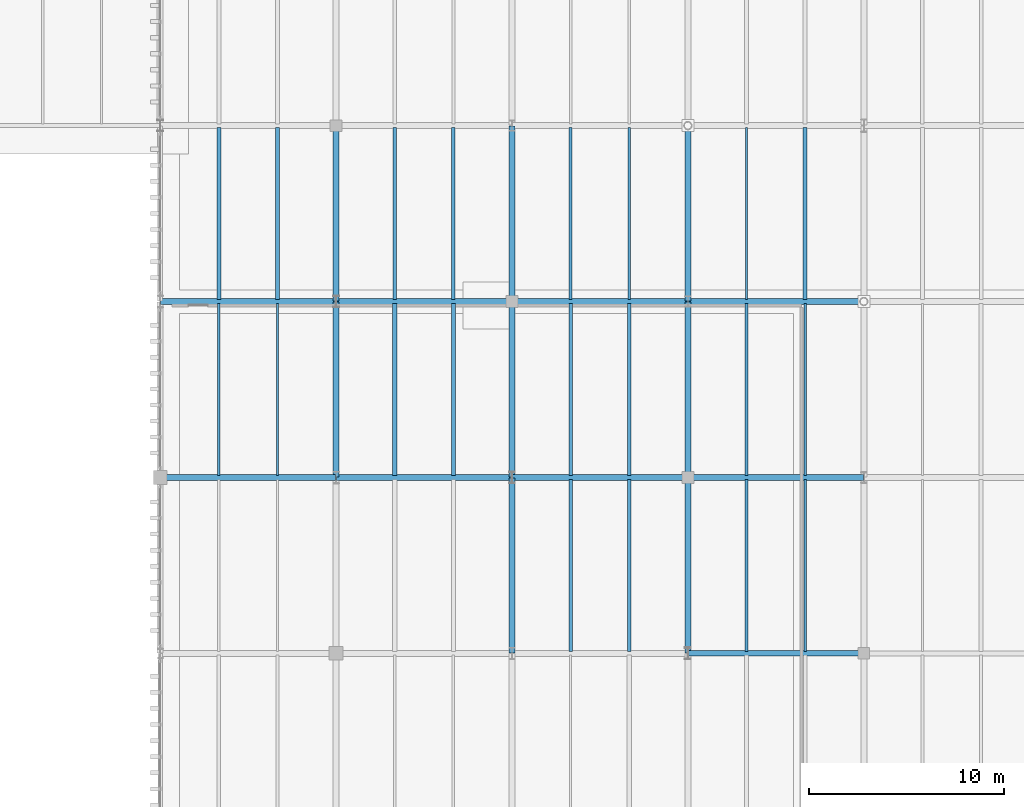
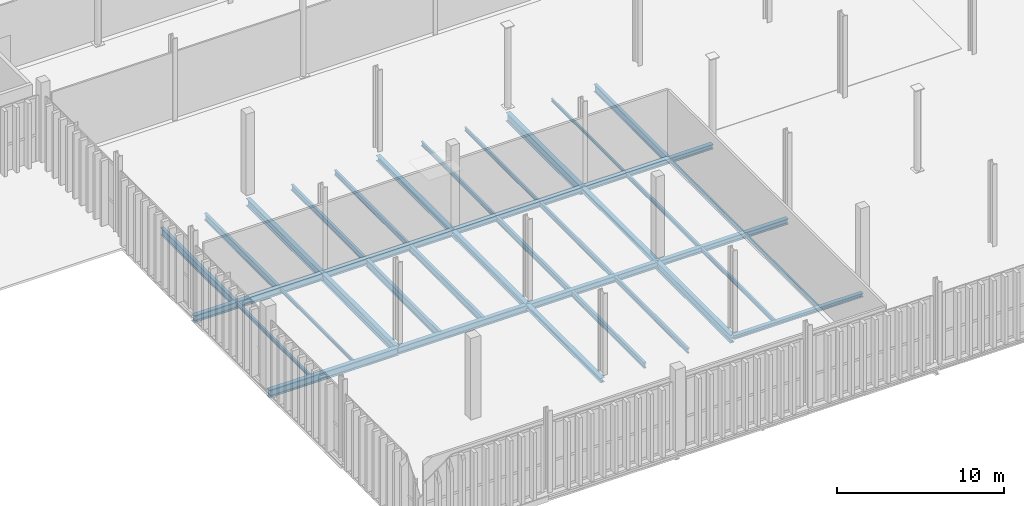
# One storey, part 88 of 211: 37 beams.
"""IFC4 building model written with IfcOpenShell, lengths in metres."""

from ifc_helpers import new_model, si_unit, direction, frame, origin, origin_2d, place, context, subcontext, project, spatial, i_section, extrude, material, material_profile, profile_set, type_object, element, save


model = new_model("IFC4")

# Units and contexts
model_context = context("Model", 3, precision=1e-05, world=origin(), true_north=direction((0.0, 1.0)))
body_context = subcontext(model_context, "Body", "Model", "MODEL_VIEW")
ifc_project = project(units=[si_unit("LENGTHUNIT", "METRE"), si_unit("AREAUNIT", "SQUARE_METRE"), si_unit("VOLUMEUNIT", "CUBIC_METRE"), si_unit("PLANEANGLEUNIT", "RADIAN"), si_unit("MASSUNIT", "GRAM", prefix="KILO")], contexts=[model_context])

# Site, building, storey
site_placement = place(None, origin())
site = spatial("IfcSite", under=ifc_project, at=site_placement, CompositionType="ELEMENT")
building_placement = place(site_placement, origin())
building = spatial("IfcBuilding", under=site, at=building_placement, Name="Barlavento Convention Centre", CompositionType="ELEMENT")
storey_placement = place(building_placement, frame((0.0, 0.0, 6.0)))
storey = spatial("IfcBuildingStorey", under=building, at=storey_placement, Name="L01", CompositionType="ELEMENT", Elevation=6.0)

# Beams
ifc_material = material(Name="Steel S355", Category="steel")
ifc_material_profile_1 = material_profile(ifc_material, i_section(OverallWidth=0.110107421875, OverallDepth=0.219970703125, WebThickness=0.005859375, FlangeThickness=0.00927734375, FilletRadius=0.011962890625, at=origin_2d()), Name="IPE 220")
ifc_profile_set_1 = profile_set([ifc_material_profile_1], Name="Steel S355")
beam_type_1 = type_object("IfcBeamType", Name="STR-BM-JST-IPE220", PredefinedType="JOIST", material=ifc_profile_set_1)
beam_1_placement = place(storey_placement, frame((156.0, 27.094970703125, -0.469970703125), z_axis=(0.0, 1.0, 0.0), x_axis=(-1.0, 0.0, 0.0)))
element("IfcBeam", 1, at=beam_1_placement, inside=storey, type_object=beam_type_1, Name="L01 composite floor joist SJ10", PredefinedType="JOIST", context=body_context, shape_type="SweptSolid", body=[
    extrude(i_section(OverallWidth=0.110107421875, OverallDepth=0.219970703125, WebThickness=0.005859375, FlangeThickness=0.00927734375, FilletRadius=0.011962890625, at=origin_2d()), origin(), (0.0, 0.0, 1.0), 8.81005859375),
])
ifc_material_profile_2 = material_profile(ifc_material, i_section(OverallWidth=0.1201171875, OverallDepth=0.239990234375, WebThickness=0.006103515625, FlangeThickness=0.009765625, FilletRadius=0.014892578125, at=origin_2d()), Name="IPE 240")
ifc_profile_set_2 = profile_set([ifc_material_profile_2], Name="Steel S355")
beam_type_2 = type_object("IfcBeamType", Name="STR-BM-JST-IPE240", PredefinedType="JOIST", material=ifc_profile_set_2)
beam_2_placement = place(storey_placement, frame((132.0, 18.094970703125, -0.47998046875), z_axis=(0.0, 1.0, 0.0), x_axis=(-1.0, 0.0, 0.0)))
element("IfcBeam", 2, at=beam_2_placement, inside=storey, type_object=beam_type_2, Name="L01 composite floor joist SJ09", PredefinedType="JOIST", context=body_context, shape_type="SweptSolid", body=[
    extrude(i_section(OverallWidth=0.1201171875, OverallDepth=0.239990234375, WebThickness=0.006103515625, FlangeThickness=0.009765625, FilletRadius=0.014892578125, at=origin_2d()), origin(), (0.0, 0.0, 1.0), 8.81005859375),
])
ifc_material_profile_3 = material_profile(ifc_material, i_section(OverallWidth=0.135009765625, OverallDepth=0.27001953125, WebThickness=0.006591796875, FlangeThickness=0.01025390625, FilletRadius=0.014892578125, at=origin_2d()), Name="IPE 270")
ifc_profile_set_3 = profile_set([ifc_material_profile_3], Name="Steel S355")
beam_type_3 = type_object("IfcBeamType", Name="STR-BM-JST-IPE270", PredefinedType="JOIST", material=ifc_profile_set_3)
for number, where, z_axis, x_axis, name in (
    (3, (159.0, 9.094970703125, -0.4951171875), (0.0, 1.0, 0.0), (-1.0, 0.0, 0.0), "L01 composite floor joist SJ08"),
    (4, (129.0, 18.094970703125, -0.4951171875), (0.0, 1.0, 0.0), (-1.0, 0.0, 0.0), "L01 composite floor joist SJ08"),
    (5, (159.0, 18.094970703125, -0.4951171875), (0.0, 1.0, 0.0), (-1.0, 0.0, 0.0), "L01 composite floor joist SJ08"),
    (6, (150.0, 27.094970703125, -0.4951171875), (0.0, 1.0, 0.0), (-1.0, 0.0, 0.0), "L01 composite floor joist SJ08"),
):
    element("IfcBeam", number, at=place(storey_placement, frame(where, z_axis=z_axis, x_axis=x_axis)), inside=storey, type_object=beam_type_3, Name=name, PredefinedType="JOIST", context=body_context, shape_type="SweptSolid", body=[
        extrude(i_section(OverallWidth=0.135009765625, OverallDepth=0.27001953125, WebThickness=0.006591796875, FlangeThickness=0.01025390625, FilletRadius=0.014892578125, at=origin_2d()), origin(), (0.0, 0.0, 1.0), 8.81005859375),
    ])
ifc_material_profile_4 = material_profile(ifc_material, i_section(OverallWidth=0.14990234375, OverallDepth=0.300048828125, WebThickness=0.007080078125, FlangeThickness=0.0107421875, FilletRadius=0.014892578125, at=origin_2d()), Name="IPE 300")
ifc_profile_set_4 = profile_set([ifc_material_profile_4], Name="Steel S355")
beam_type_4 = type_object("IfcBeamType", Name="STR-BM-JST-IPE300", PredefinedType="JOIST", material=ifc_profile_set_4)
for number, where, z_axis, x_axis, name in (
    (7, (156.0, 9.094970703125, -0.510009765625), (0.0, 1.0, 0.0), (-1.0, 0.0, 0.0), "L01 composite floor joist SJ07"),
    (8, (156.0, 18.094970703125, -0.510009765625), (0.0, 1.0, 0.0), (-1.0, 0.0, 0.0), "L01 composite floor joist SJ07"),
    (9, (147.0, 27.094970703125, -0.510009765625), (0.0, 1.0, 0.0), (-1.0, 0.0, 0.0), "L01 composite floor joist SJ07"),
):
    element("IfcBeam", number, at=place(storey_placement, frame(where, z_axis=z_axis, x_axis=x_axis)), inside=storey, type_object=beam_type_4, Name=name, PredefinedType="JOIST", context=body_context, shape_type="SweptSolid", body=[
        extrude(i_section(OverallWidth=0.14990234375, OverallDepth=0.300048828125, WebThickness=0.007080078125, FlangeThickness=0.0107421875, FilletRadius=0.014892578125, at=origin_2d()), origin(), (0.0, 0.0, 1.0), 8.81005859375),
    ])
ifc_material_profile_5 = material_profile(ifc_material, i_section(OverallWidth=0.169921875, OverallDepth=0.360107421875, WebThickness=0.008056640625, FlangeThickness=0.0126953125, FilletRadius=0.01806640625, at=origin_2d()), Name="IPE 360")
ifc_profile_set_5 = profile_set([ifc_material_profile_5], Name="Steel S355")
beam_type_5 = type_object("IfcBeamType", Name="STR-BM-JST-IPE360", PredefinedType="JOIST", material=ifc_profile_set_5)
for number, where, z_axis, x_axis, name in (
    (10, (150.0, 9.094970703125, -0.5400390625), (0.0, 1.0, 0.0), (-1.0, 0.0, 0.0), "L01 composite floor joist SJ05"),
    (11, (150.0, 18.094970703125, -0.5400390625), (0.0, 1.0, 0.0), (-1.0, 0.0, 0.0), "L01 composite floor joist SJ05"),
    (12, (141.0, 27.094970703125, -0.5400390625), (0.0, 1.0, 0.0), (-1.0, 0.0, 0.0), "L01 composite floor joist SJ05"),
):
    element("IfcBeam", number, at=place(storey_placement, frame(where, z_axis=z_axis, x_axis=x_axis)), inside=storey, type_object=beam_type_5, Name=name, PredefinedType="JOIST", context=body_context, shape_type="SweptSolid", body=[
        extrude(i_section(OverallWidth=0.169921875, OverallDepth=0.360107421875, WebThickness=0.008056640625, FlangeThickness=0.0126953125, FilletRadius=0.01806640625, at=origin_2d()), origin(), (0.0, 0.0, 1.0), 8.81005859375),
    ])
ifc_material_profile_6 = material_profile(ifc_material, i_section(OverallWidth=0.179931640625, OverallDepth=0.39990234375, WebThickness=0.008544921875, FlangeThickness=0.013427734375, FilletRadius=0.02099609375, at=origin_2d()), Name="IPE 400")
ifc_profile_set_6 = profile_set([ifc_material_profile_6], Name="Steel S355")
beam_type_6 = type_object("IfcBeamType", Name="STR-BM-JST-IPE400", PredefinedType="JOIST", material=ifc_profile_set_6)
for number, where, z_axis, x_axis, name in (
    (13, (147.0, 9.094970703125, -0.56005859375), (0.0, 1.0, 0.0), (-1.0, 0.0, 0.0), "L01 composite floor joist SJ04"),
    (14, (147.0, 18.094970703125, -0.56005859375), (0.0, 1.0, 0.0), (-1.0, 0.0, 0.0), "L01 composite floor joist SJ04"),
    (15, (138.0, 27.094970703125, -0.56005859375), (0.0, 1.0, 0.0), (-1.0, 0.0, 0.0), "L01 composite floor joist SJ04"),
):
    element("IfcBeam", number, at=place(storey_placement, frame(where, z_axis=z_axis, x_axis=x_axis)), inside=storey, type_object=beam_type_6, Name=name, PredefinedType="JOIST", context=body_context, shape_type="SweptSolid", body=[
        extrude(i_section(OverallWidth=0.179931640625, OverallDepth=0.39990234375, WebThickness=0.008544921875, FlangeThickness=0.013427734375, FilletRadius=0.02099609375, at=origin_2d()), origin(), (0.0, 0.0, 1.0), 8.81005859375),
    ])
ifc_material_profile_7 = material_profile(ifc_material, i_section(OverallWidth=0.199951171875, OverallDepth=0.5, WebThickness=0.01025390625, FlangeThickness=0.01611328125, FilletRadius=0.02099609375, at=origin_2d()), Name="IPE 500")
ifc_profile_set_7 = profile_set([ifc_material_profile_7], Name="Steel S355")
beam_type_7 = type_object("IfcBeamType", Name="STR-BM-JST-IPE500", PredefinedType="JOIST", material=ifc_profile_set_7)
for number, where, z_axis, x_axis, name in (
    (16, (141.0, 18.094970703125, -0.610107421875), (0.0, 1.0, 0.0), (-1.0, 0.0, 0.0), "L01 composite floor joist SJ02"),
    (17, (132.0, 27.094970703125, -0.610107421875), (0.0, 1.0, 0.0), (-1.0, 0.0, 0.0), "L01 composite floor joist SJ02"),
):
    element("IfcBeam", number, at=place(storey_placement, frame(where, z_axis=z_axis, x_axis=x_axis)), inside=storey, type_object=beam_type_7, Name=name, PredefinedType="JOIST", context=body_context, shape_type="SweptSolid", body=[
        extrude(i_section(OverallWidth=0.199951171875, OverallDepth=0.5, WebThickness=0.01025390625, FlangeThickness=0.01611328125, FilletRadius=0.02099609375, at=origin_2d()), origin(), (0.0, 0.0, 1.0), 8.81005859375),
    ])
ifc_material_profile_8 = material_profile(ifc_material, i_section(OverallWidth=0.2099609375, OverallDepth=0.550048828125, WebThickness=0.010986328125, FlangeThickness=0.01708984375, FilletRadius=0.02392578125, at=origin_2d()), Name="IPE 550")
ifc_profile_set_8 = profile_set([ifc_material_profile_8], Name="Steel S355")
beam_type_8 = type_object("IfcBeamType", Name="STR-BM-JST-IPE550", PredefinedType="JOIST", material=ifc_profile_set_8)
for number, where, z_axis, x_axis, name in (
    (18, (138.0, 18.094970703125, -0.635009765625), (0.0, 1.0, 0.0), (-1.0, 0.0, 0.0), "L01 composite floor joist SJ01"),
    (19, (129.0, 27.094970703125, -0.635009765625), (0.0, 1.0, 0.0), (-1.0, 0.0, 0.0), "L01 composite floor joist SJ01"),
    (20, (159.0, 27.094970703125, -0.635009765625), (0.0, 1.0, 0.0), (-1.0, 0.0, 0.0), "L01 composite floor joist SJ01"),
):
    element("IfcBeam", number, at=place(storey_placement, frame(where, z_axis=z_axis, x_axis=x_axis)), inside=storey, type_object=beam_type_8, Name=name, PredefinedType="JOIST", context=body_context, shape_type="SweptSolid", body=[
        extrude(i_section(OverallWidth=0.2099609375, OverallDepth=0.550048828125, WebThickness=0.010986328125, FlangeThickness=0.01708984375, FilletRadius=0.02392578125, at=origin_2d()), origin(), (0.0, 0.0, 1.0), 8.81005859375),
    ])
ifc_material_profile_9 = material_profile(ifc_material, i_section(OverallWidth=0.300048828125, OverallDepth=0.330078125, WebThickness=0.009521484375, FlangeThickness=0.0166015625, FilletRadius=0.027099609375, at=origin_2d()), Name="HEA 340")
ifc_profile_set_9 = profile_set([ifc_material_profile_9], Name="Steel S355")
beam_type_9 = type_object("IfcBeamType", Name="STR-BM-PRI-HEA340", PredefinedType="BEAM", material=ifc_profile_set_9)
beam_3_placement = place(storey_placement, frame((153.0, 18.02001953125, -0.52490234375), z_axis=(0.0, 1.0, 0.0), x_axis=(-1.0, 0.0, 0.0)))
element("IfcBeam", 21, at=beam_3_placement, inside=storey, type_object=beam_type_9, Name="L01 grid girder BG24", PredefinedType="BEAM", context=body_context, shape_type="SweptSolid", body=[
    extrude(i_section(OverallWidth=0.300048828125, OverallDepth=0.330078125, WebThickness=0.009521484375, FlangeThickness=0.0166015625, FilletRadius=0.027099609375, at=origin_2d()), origin(), (0.0, 0.0, 1.0), 8.9599609375),
])
ifc_material_profile_10 = material_profile(ifc_material, i_section(OverallWidth=0.300048828125, OverallDepth=0.35009765625, WebThickness=0.010009765625, FlangeThickness=0.017578125, FilletRadius=0.027099609375, at=origin_2d()), Name="HEA 360")
ifc_profile_set_10 = profile_set([ifc_material_profile_10], Name="Steel S355")
beam_type_10 = type_object("IfcBeamType", Name="STR-BM-PRI-HEA360", PredefinedType="BEAM", material=ifc_profile_set_10)
beam_4_placement = place(storey_placement, frame((144.0, 9.02001953125, -0.534912109375), z_axis=(0.0, 1.0, 0.0), x_axis=(-1.0, 0.0, 0.0)))
element("IfcBeam", 22, at=beam_4_placement, inside=storey, type_object=beam_type_10, Name="L01 grid girder BG23", PredefinedType="BEAM", context=body_context, shape_type="SweptSolid", body=[
    extrude(i_section(OverallWidth=0.300048828125, OverallDepth=0.35009765625, WebThickness=0.010009765625, FlangeThickness=0.017578125, FilletRadius=0.027099609375, at=origin_2d()), origin(), (0.0, 0.0, 1.0), 8.9599609375),
])
ifc_material_profile_11 = material_profile(ifc_material, i_section(OverallWidth=0.300048828125, OverallDepth=0.389892578125, WebThickness=0.010986328125, FlangeThickness=0.01904296875, FilletRadius=0.027099609375, at=origin_2d()), Name="HEA 400")
ifc_profile_set_11 = profile_set([ifc_material_profile_11], Name="Steel S355")
beam_type_11 = type_object("IfcBeamType", Name="STR-BM-PRI-HEA400", PredefinedType="BEAM", material=ifc_profile_set_11)
beam_5_placement = place(storey_placement, frame((144.0, 27.02001953125, -0.554931640625), z_axis=(0.0, 1.0, 0.0), x_axis=(-1.0, 0.0, 0.0)))
element("IfcBeam", 23, at=beam_5_placement, inside=storey, type_object=beam_type_11, Name="L01 grid girder BG22", PredefinedType="BEAM", context=body_context, shape_type="SweptSolid", body=[
    extrude(i_section(OverallWidth=0.300048828125, OverallDepth=0.389892578125, WebThickness=0.010986328125, FlangeThickness=0.01904296875, FilletRadius=0.027099609375, at=origin_2d()), origin(), (0.0, 0.0, 1.0), 8.9599609375),
])
ifc_material_profile_12 = material_profile(ifc_material, i_section(OverallWidth=0.300048828125, OverallDepth=0.43994140625, WebThickness=0.011474609375, FlangeThickness=0.02099609375, FilletRadius=0.027099609375, at=origin_2d()), Name="HEA 450")
ifc_profile_set_12 = profile_set([ifc_material_profile_12], Name="Steel S355")
beam_type_12 = type_object("IfcBeamType", Name="STR-BM-PRI-HEA450", PredefinedType="BEAM", material=ifc_profile_set_12)
beam_6_placement = place(storey_placement, frame((144.0, 18.02001953125, -0.580078125), z_axis=(0.0, 1.0, 0.0), x_axis=(-1.0, 0.0, 0.0)))
element("IfcBeam", 24, at=beam_6_placement, inside=storey, type_object=beam_type_12, Name="L01 grid girder BG21", PredefinedType="BEAM", context=body_context, shape_type="SweptSolid", body=[
    extrude(i_section(OverallWidth=0.300048828125, OverallDepth=0.43994140625, WebThickness=0.011474609375, FlangeThickness=0.02099609375, FilletRadius=0.027099609375, at=origin_2d()), origin(), (0.0, 0.0, 1.0), 8.9599609375),
])
ifc_material_profile_13 = material_profile(ifc_material, i_section(OverallWidth=0.300048828125, OverallDepth=0.5400390625, WebThickness=0.012451171875, FlangeThickness=0.02392578125, FilletRadius=0.027099609375, at=origin_2d()), Name="HEA 550")
ifc_profile_set_13 = profile_set([ifc_material_profile_13], Name="Steel S355")
beam_type_13 = type_object("IfcBeamType", Name="STR-BM-PRI-HEA550", PredefinedType="BEAM", material=ifc_profile_set_13)
beam_7_placement = place(storey_placement, frame((135.0, 27.02001953125, -0.6298828125), z_axis=(0.0, 1.0, 0.0), x_axis=(-1.0, 0.0, 0.0)))
element("IfcBeam", 25, at=beam_7_placement, inside=storey, type_object=beam_type_13, Name="L01 grid girder BG19", PredefinedType="BEAM", context=body_context, shape_type="SweptSolid", body=[
    extrude(i_section(OverallWidth=0.300048828125, OverallDepth=0.5400390625, WebThickness=0.012451171875, FlangeThickness=0.02392578125, FilletRadius=0.027099609375, at=origin_2d()), origin(), (0.0, 0.0, 1.0), 8.9599609375),
])
ifc_material_profile_14 = material_profile(ifc_material, i_section(OverallWidth=0.300048828125, OverallDepth=0.590087890625, WebThickness=0.012939453125, FlangeThickness=0.02490234375, FilletRadius=0.027099609375, at=origin_2d()), Name="HEA 600")
ifc_profile_set_14 = profile_set([ifc_material_profile_14], Name="Steel S355")
beam_type_14 = type_object("IfcBeamType", Name="STR-BM-PRI-HEA600", PredefinedType="BEAM", material=ifc_profile_set_14)
for number, where, z_axis, x_axis, name in (
    (26, (153.0, 9.02001953125, -0.655029296875), (0.0, 1.0, 0.0), (-1.0, 0.0, 0.0), "L01 grid girder BG18"),
    (27, (135.0, 18.02001953125, -0.655029296875), (0.0, 1.0, 0.0), (-1.0, 0.0, 0.0), "L01 grid girder BG18"),
):
    element("IfcBeam", number, at=place(storey_placement, frame(where, z_axis=z_axis, x_axis=x_axis)), inside=storey, type_object=beam_type_14, Name=name, PredefinedType="BEAM", context=body_context, shape_type="SweptSolid", body=[
        extrude(i_section(OverallWidth=0.300048828125, OverallDepth=0.590087890625, WebThickness=0.012939453125, FlangeThickness=0.02490234375, FilletRadius=0.027099609375, at=origin_2d()), origin(), (0.0, 0.0, 1.0), 8.9599609375),
    ])
ifc_material_profile_15 = material_profile(ifc_material, i_section(OverallWidth=0.300048828125, OverallDepth=0.639892578125, WebThickness=0.013427734375, FlangeThickness=0.02587890625, FilletRadius=0.027099609375, at=origin_2d()), Name="HEA 650")
ifc_profile_set_15 = profile_set([ifc_material_profile_15], Name="Steel S355")
beam_type_15 = type_object("IfcBeamType", Name="STR-BM-PRI-HEA650", PredefinedType="BEAM", material=ifc_profile_set_15)
beam_8_placement = place(storey_placement, frame((153.0, 27.02001953125, -0.679931640625), z_axis=(0.0, 1.0, 0.0), x_axis=(-1.0, 0.0, 0.0)))
element("IfcBeam", 28, at=beam_8_placement, inside=storey, type_object=beam_type_15, Name="L01 grid girder BG17", PredefinedType="BEAM", context=body_context, shape_type="SweptSolid", body=[
    extrude(i_section(OverallWidth=0.300048828125, OverallDepth=0.639892578125, WebThickness=0.013427734375, FlangeThickness=0.02587890625, FilletRadius=0.027099609375, at=origin_2d()), origin(), (0.0, 0.0, 1.0), 8.9599609375),
])
ifc_material_profile_16 = material_profile(ifc_material, i_section(OverallWidth=0.280029296875, OverallDepth=0.280029296875, WebThickness=0.010498046875, FlangeThickness=0.01806640625, FilletRadius=0.02392578125, at=origin_2d()), Name="HEB 280")
ifc_profile_set_16 = profile_set([ifc_material_profile_16], Name="Steel S355")
beam_type_16 = type_object("IfcBeamType", Name="STR-BM-PRI-HEB280", PredefinedType="BEAM", material=ifc_profile_set_16)
beam_9_placement = place(storey_placement, frame((153.02001953125, 9.0, -0.5), z_axis=(1.0, 0.0, 0.0), x_axis=(0.0, 1.0, 0.0)))
element("IfcBeam", 29, at=beam_9_placement, inside=storey, type_object=beam_type_16, Name="L01 primary girder BG15", PredefinedType="BEAM", context=body_context, shape_type="SweptSolid", body=[
    extrude(i_section(OverallWidth=0.280029296875, OverallDepth=0.280029296875, WebThickness=0.010498046875, FlangeThickness=0.01806640625, FilletRadius=0.02392578125, at=origin_2d()), origin(), (0.0, 0.0, 1.0), 8.9599609375),
])
ifc_material_profile_17 = material_profile(ifc_material, i_section(OverallWidth=0.300048828125, OverallDepth=0.360107421875, WebThickness=0.012451171875, FlangeThickness=0.0224609375, FilletRadius=0.027099609375, at=origin_2d()), Name="HEB 360")
ifc_profile_set_17 = profile_set([ifc_material_profile_17], Name="Steel S355")
beam_type_17 = type_object("IfcBeamType", Name="STR-BM-PRI-HEB360", PredefinedType="BEAM", material=ifc_profile_set_17)
beam_10_placement = place(storey_placement, frame((153.02001953125, 27.0, -0.5400390625), z_axis=(1.0, 0.0, 0.0), x_axis=(0.0, 1.0, 0.0)))
element("IfcBeam", 30, at=beam_10_placement, inside=storey, type_object=beam_type_17, Name="L01 primary girder BG12", PredefinedType="BEAM", context=body_context, shape_type="SweptSolid", body=[
    extrude(i_section(OverallWidth=0.300048828125, OverallDepth=0.360107421875, WebThickness=0.012451171875, FlangeThickness=0.0224609375, FilletRadius=0.027099609375, at=origin_2d()), origin(), (0.0, 0.0, 1.0), 8.9599609375),
])
ifc_material_profile_18 = material_profile(ifc_material, i_section(OverallWidth=0.300048828125, OverallDepth=0.39990234375, WebThickness=0.013427734375, FlangeThickness=0.02392578125, FilletRadius=0.027099609375, at=origin_2d()), Name="HEB 400")
ifc_profile_set_18 = profile_set([ifc_material_profile_18], Name="Steel S355")
beam_type_18 = type_object("IfcBeamType", Name="STR-BM-PRI-HEB400", PredefinedType="BEAM", material=ifc_profile_set_18)
for number, where, z_axis, x_axis, name in (
    (31, (153.02001953125, 18.0, -0.56005859375), (1.0, 0.0, 0.0), (0.0, 1.0, 0.0), "L01 primary girder BG11"),
    (32, (144.02001953125, 27.0, -0.56005859375), (1.0, 0.0, 0.0), (0.0, 1.0, 0.0), "L01 primary girder BG11"),
):
    element("IfcBeam", number, at=place(storey_placement, frame(where, z_axis=z_axis, x_axis=x_axis)), inside=storey, type_object=beam_type_18, Name=name, PredefinedType="BEAM", context=body_context, shape_type="SweptSolid", body=[
        extrude(i_section(OverallWidth=0.300048828125, OverallDepth=0.39990234375, WebThickness=0.013427734375, FlangeThickness=0.02392578125, FilletRadius=0.027099609375, at=origin_2d()), origin(), (0.0, 0.0, 1.0), 8.9599609375),
    ])
ifc_material_profile_19 = material_profile(ifc_material, i_section(OverallWidth=0.300048828125, OverallDepth=0.449951171875, WebThickness=0.013916015625, FlangeThickness=0.02587890625, FilletRadius=0.027099609375, at=origin_2d()), Name="HEB 450")
ifc_profile_set_19 = profile_set([ifc_material_profile_19], Name="Steel S355")
beam_type_19 = type_object("IfcBeamType", Name="STR-BM-PRI-HEB450", PredefinedType="BEAM", material=ifc_profile_set_19)
for number, where, z_axis, x_axis, name in (
    (33, (144.02001953125, 18.0, -0.5849609375), (1.0, 0.0, 0.0), (0.0, 1.0, 0.0), "L01 primary girder BG10"),
    (34, (135.02001953125, 27.0, -0.5849609375), (1.0, 0.0, 0.0), (0.0, 1.0, 0.0), "L01 primary girder BG10"),
):
    element("IfcBeam", number, at=place(storey_placement, frame(where, z_axis=z_axis, x_axis=x_axis)), inside=storey, type_object=beam_type_19, Name=name, PredefinedType="BEAM", context=body_context, shape_type="SweptSolid", body=[
        extrude(i_section(OverallWidth=0.300048828125, OverallDepth=0.449951171875, WebThickness=0.013916015625, FlangeThickness=0.02587890625, FilletRadius=0.027099609375, at=origin_2d()), origin(), (0.0, 0.0, 1.0), 8.9599609375),
    ])
ifc_material_profile_20 = material_profile(ifc_material, i_section(OverallWidth=0.300048828125, OverallDepth=0.5, WebThickness=0.014404296875, FlangeThickness=0.028076171875, FilletRadius=0.027099609375, at=origin_2d()), Name="HEB 500")
ifc_profile_set_20 = profile_set([ifc_material_profile_20], Name="Steel S355")
beam_type_20 = type_object("IfcBeamType", Name="STR-BM-PRI-HEB500", PredefinedType="BEAM", material=ifc_profile_set_20)
for number, where, z_axis, x_axis, name in (
    (35, (135.02001953125, 18.0, -0.610107421875), (1.0, 0.0, 0.0), (0.0, 1.0, 0.0), "L01 primary girder BG09"),
    (36, (126.02001953125, 27.0, -0.610107421875), (1.0, 0.0, 0.0), (0.0, 1.0, 0.0), "L01 primary girder BG09"),
):
    element("IfcBeam", number, at=place(storey_placement, frame(where, z_axis=z_axis, x_axis=x_axis)), inside=storey, type_object=beam_type_20, Name=name, PredefinedType="BEAM", context=body_context, shape_type="SweptSolid", body=[
        extrude(i_section(OverallWidth=0.300048828125, OverallDepth=0.5, WebThickness=0.014404296875, FlangeThickness=0.028076171875, FilletRadius=0.027099609375, at=origin_2d()), origin(), (0.0, 0.0, 1.0), 8.9599609375),
    ])
ifc_material_profile_21 = material_profile(ifc_material, i_section(OverallWidth=0.300048828125, OverallDepth=0.550048828125, WebThickness=0.014892578125, FlangeThickness=0.029052734375, FilletRadius=0.027099609375, at=origin_2d()), Name="HEB 550")
ifc_profile_set_21 = profile_set([ifc_material_profile_21], Name="Steel S355")
beam_type_21 = type_object("IfcBeamType", Name="STR-BM-PRI-HEB550", PredefinedType="BEAM", material=ifc_profile_set_21)
beam_11_placement = place(storey_placement, frame((126.02001953125, 18.0, -0.635009765625), z_axis=(1.0, 0.0, 0.0), x_axis=(0.0, 1.0, 0.0)))
element("IfcBeam", 37, at=beam_11_placement, inside=storey, type_object=beam_type_21, Name="L01 primary girder BG08", PredefinedType="BEAM", context=body_context, shape_type="SweptSolid", body=[
    extrude(i_section(OverallWidth=0.300048828125, OverallDepth=0.550048828125, WebThickness=0.014892578125, FlangeThickness=0.029052734375, FilletRadius=0.027099609375, at=origin_2d()), origin(), (0.0, 0.0, 1.0), 8.9599609375),
])

save(model, "model.ifc")
